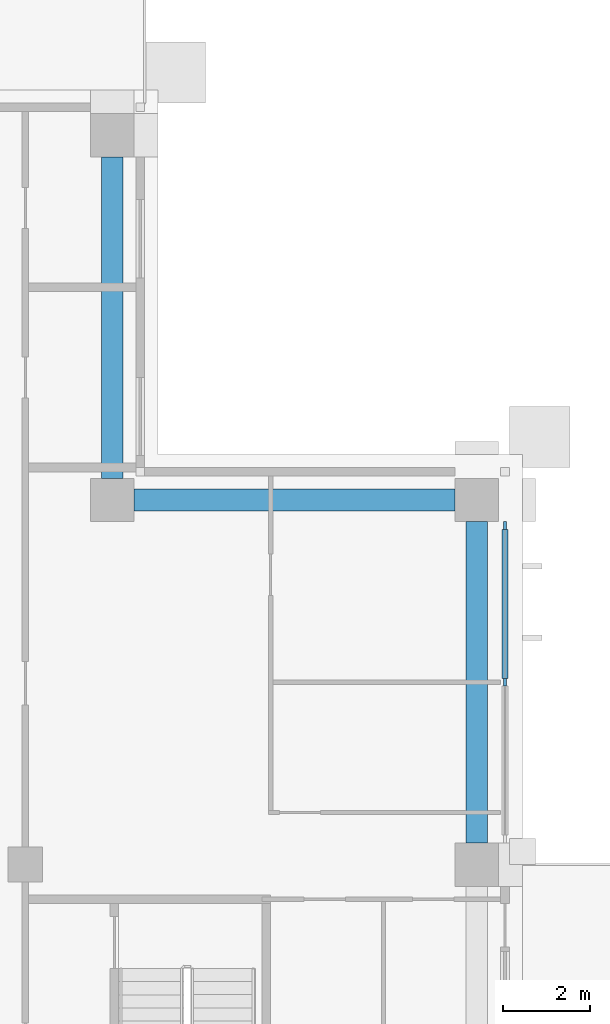
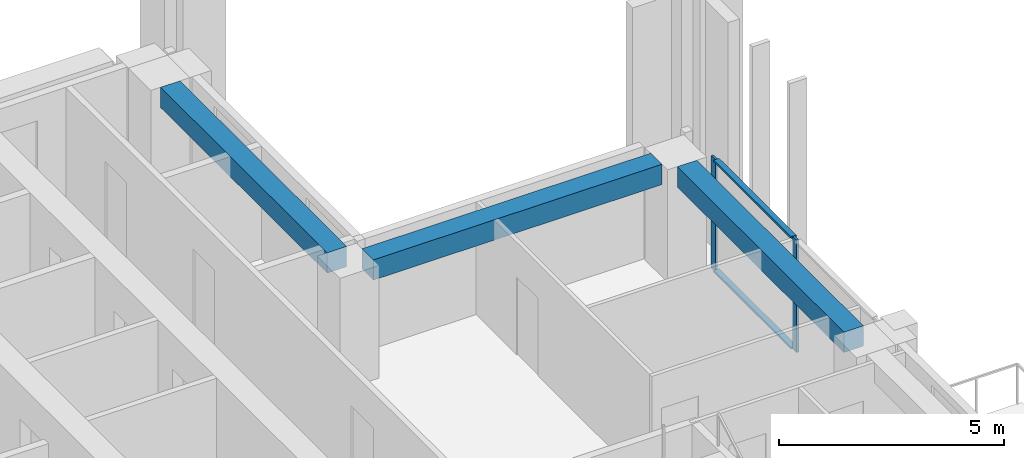
# One storey, part 6 of 18: 4 members, 3 beams, 1 element without a shape of its own.
"""IFC4 building model written with IfcOpenShell, lengths in metres."""

from ifc_helpers import new_model, si_unit, direction, frame, origin, origin_2d, place, context, subcontext, project, spatial, rectangle, extrude, material, material_profile, profile_set, type_object, element, aggregate, save


model = new_model("IFC4")

# Units and contexts
model_context = context("Model", 3, precision=1e-05, world=origin(), true_north=direction((0.0, 1.0)))
body_context = subcontext(model_context, "Body", "Model", "MODEL_VIEW")
ifc_project = project(units=[si_unit("LENGTHUNIT", "METRE"), si_unit("AREAUNIT", "SQUARE_METRE"), si_unit("VOLUMEUNIT", "CUBIC_METRE"), si_unit("PLANEANGLEUNIT", "RADIAN"), si_unit("MASSUNIT", "GRAM", prefix="KILO")], contexts=[model_context])

# Site, building, storey
site_placement = place(None, origin())
site = spatial("IfcSite", under=ifc_project, at=site_placement, CompositionType="ELEMENT")
building_placement = place(site_placement, origin())
building = spatial("IfcBuilding", under=site, at=building_placement, Name="Vermilion Ogive Tower", CompositionType="ELEMENT")
storey_placement = place(building_placement, frame((0.0, 0.0, 199.699951171875)))
storey = spatial("IfcBuildingStorey", under=building, at=storey_placement, Name="L52", CompositionType="ELEMENT", Elevation=199.699951171875)

# Curtain wall, members
ifc_material_1 = material(Name="Low-iron laminated glazing in aluminium frame", Category="aluminium")
curtain_wall_type = type_object("IfcCurtainWallType", Name="Curtain wall CW7", PredefinedType="NOTDEFINED", material=ifc_material_1)
curtain_wall_placement = place(storey_placement, origin())
curtain_wall = element("IfcCurtainWall", 1, at=curtain_wall_placement, inside=storey, type_object=curtain_wall_type, Name="Glazed skin E3", PredefinedType="NOTDEFINED")
ifc_material_2 = material(Name="Aluminium mullion", Category="aluminium")
ifc_material_profile_1 = material_profile(ifc_material_2, rectangle(XDim=0.06005859375, YDim=0.179931640625, at=origin_2d()), Name="AL 60x180")
ifc_profile_set_1 = profile_set([ifc_material_profile_1], Name="Aluminium mullion")
member_type_1 = type_object("IfcMemberType", Name="CW7 mullion 60x180", PredefinedType="MULLION", material=ifc_profile_set_1)
member_1_placement = place(storey_placement, frame((25.85009765625, 8.39990234375, 0.0), z_axis=(0.0, 0.0, 1.0), x_axis=(-1.0, 0.0, 0.0)))
member_1 = element("IfcMember", 2, at=member_1_placement, type_object=member_type_1, Name="CW7-E3 mullion 2", PredefinedType="MULLION", context=body_context, shape_type="SweptSolid", body=[
    extrude(rectangle(XDim=0.06005859375, YDim=0.179931640625, at=origin_2d()), origin(), (0.0, 0.0, 1.0), 3.050048828125),
])
member_2_placement = place(storey_placement, frame((25.85009765625, 12.010009765625, 0.0), z_axis=(0.0, 0.0, 1.0), x_axis=(-1.0, 0.0, 0.0)))
member_2 = element("IfcMember", 3, at=member_2_placement, type_object=member_type_1, Name="CW7-E3 mullion 3", PredefinedType="MULLION", context=body_context, shape_type="SweptSolid", body=[
    extrude(rectangle(XDim=0.06005859375, YDim=0.179931640625, at=origin_2d()), origin(), (0.0, 0.0, 1.0), 3.050048828125),
])
ifc_material_3 = material(Name="Aluminium transom", Category="aluminium")
ifc_material_profile_2 = material_profile(ifc_material_3, rectangle(XDim=0.139892578125, YDim=0.06005859375, at=origin_2d()), Name="AL 60x140")
ifc_profile_set_2 = profile_set([ifc_material_profile_2], Name="Aluminium transom")
member_type_2 = type_object("IfcMemberType", Name="CW7 transom 60x140", PredefinedType="USERDEFINED", material=ifc_profile_set_2)
member_3_placement = place(storey_placement, frame((25.85009765625, 8.489990234375, 0.030029296875), z_axis=(0.0, 1.0, 0.0), x_axis=(-1.0, 0.0, 0.0)))
member_3 = element("IfcMember", 4, at=member_3_placement, type_object=member_type_2, Name="CW7-E3 transom 2.1", ObjectType="TRANSOM", PredefinedType="USERDEFINED", context=body_context, shape_type="SweptSolid", body=[
    extrude(rectangle(XDim=0.139892578125, YDim=0.06005859375, at=origin_2d()), origin(), (0.0, 0.0, 1.0), 3.429931640625),
])
member_4_placement = place(storey_placement, frame((25.85009765625, 8.489990234375, 3.02001953125), z_axis=(0.0, 1.0, 0.0), x_axis=(-1.0, 0.0, 0.0)))
member_4 = element("IfcMember", 5, at=member_4_placement, type_object=member_type_2, Name="CW7-E3 transom 2.2", ObjectType="TRANSOM", PredefinedType="USERDEFINED", context=body_context, shape_type="SweptSolid", body=[
    extrude(rectangle(XDim=0.139892578125, YDim=0.06005859375, at=origin_2d()), origin(), (0.0, 0.0, 1.0), 3.429931640625),
])
aggregate(curtain_wall, [member_1, member_2, member_3, member_4])

# Beams
ifc_material_4 = material(Name="Concrete B45", Category="concrete")
ifc_material_profile_3 = material_profile(ifc_material_4, rectangle(XDim=0.5, YDim=0.550048828125, at=origin_2d()), Name="500 x 550")
ifc_profile_set_3 = profile_set([ifc_material_profile_3], Name="Concrete B45")
beam_type = type_object("IfcBeamType", Name="Edge beam 500 x 550 B45", PredefinedType="BEAM", material=ifc_profile_set_3)
beam_placement = place(storey_placement, frame((25.199951171875, 4.699951171875, 2.775146484375), z_axis=(0.0, 1.0, 0.0), x_axis=(-1.0, 0.0, 0.0)))
element("IfcBeam", 6, at=beam_placement, inside=storey, type_object=beam_type, Name="L52-EB-9", PredefinedType="BEAM", context=body_context, shape_type="SweptSolid", body=[
    extrude(rectangle(XDim=0.5, YDim=0.550048828125, at=origin_2d()), origin(), (0.0, 0.0, 1.0), 7.400146484375),
])
for number, where, z_axis, x_axis, name in (
    (7, (24.699951171875, 12.60009765625, 2.775146484375), (-1.0, 0.0, 0.0), (0.0, -1.0, 0.0), "L52-EB-10"),
    (8, (16.800048828125, 13.10009765625, 2.775146484375), (0.0, 1.0, 0.0), (-1.0, 0.0, 0.0), "L52-EB-11"),
):
    element("IfcBeam", number, at=place(storey_placement, frame(where, z_axis=z_axis, x_axis=x_axis)), inside=storey, type_object=beam_type, Name=name, PredefinedType="BEAM", context=body_context, shape_type="SweptSolid", body=[
        extrude(rectangle(XDim=0.5, YDim=0.550048828125, at=origin_2d()), origin(), (0.0, 0.0, 1.0), 7.39990234375),
    ])

save(model, "model.ifc")
